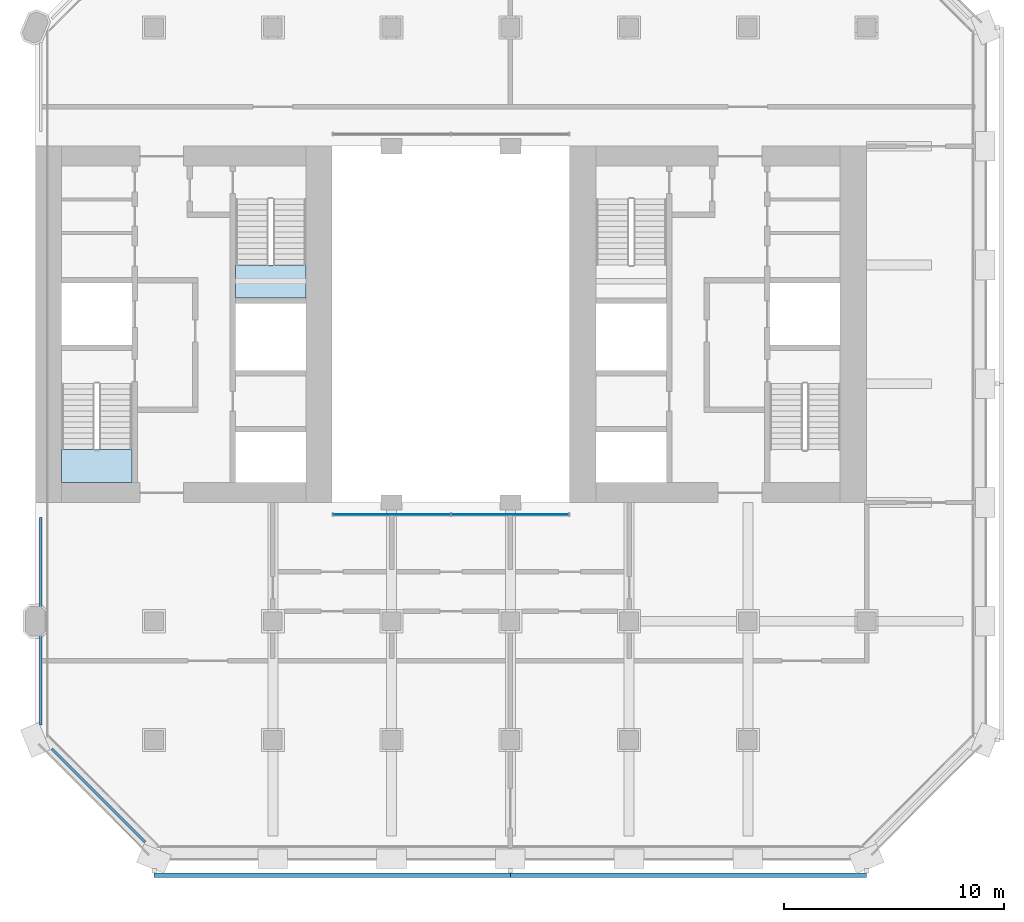
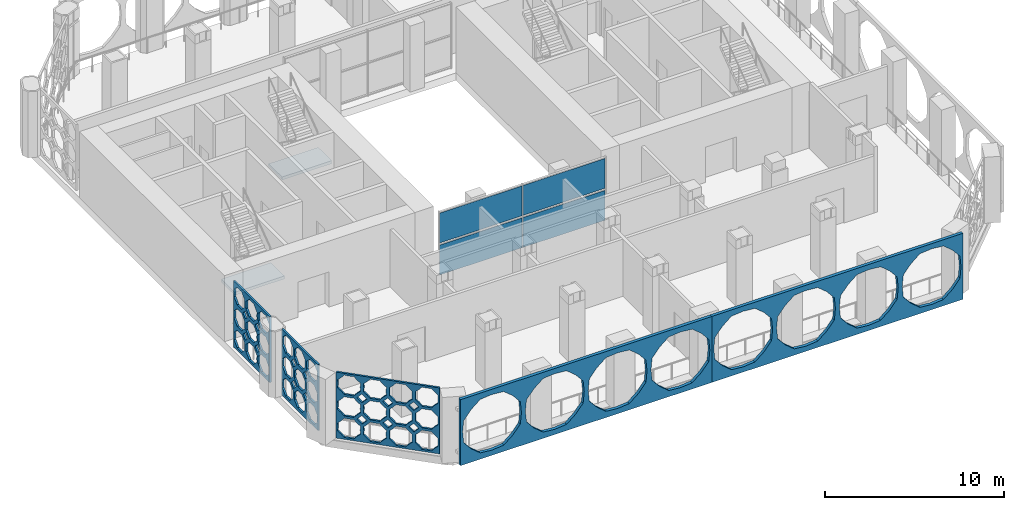
# One storey, part 5 of 14: 9 plates, 2 slabs, 3 elements without a shape of their own.
"""IFC4 building model written with IfcOpenShell, lengths in metres."""

from ifc_helpers import new_model, si_unit, direction, frame, origin, origin_2d, place, context, subcontext, project, spatial, polyline, rectangle, outline, extrude, material, layer, layer_set, type_object, element, aggregate, save


model = new_model("IFC4")

# Units and contexts
model_context = context("Model", 3, precision=1e-05, world=origin(), true_north=direction((0.0, 1.0)))
body_context = subcontext(model_context, "Body", "Model", "MODEL_VIEW")
ifc_project = project(units=[si_unit("LENGTHUNIT", "METRE"), si_unit("AREAUNIT", "SQUARE_METRE"), si_unit("VOLUMEUNIT", "CUBIC_METRE"), si_unit("PLANEANGLEUNIT", "RADIAN"), si_unit("MASSUNIT", "GRAM", prefix="KILO")], contexts=[model_context])

# Site, building, storey
site_placement = place(None, origin())
site = spatial("IfcSite", under=ifc_project, at=site_placement, CompositionType="ELEMENT")
building_placement = place(site_placement, origin())
building = spatial("IfcBuilding", under=site, at=building_placement, Name="Tabaq Tower and Sports Hall", CompositionType="ELEMENT")
storey_placement = place(building_placement, frame((0.0, 0.0, 175.89990234375)))
storey = spatial("IfcBuildingStorey", under=building, at=storey_placement, Name="L42", CompositionType="ELEMENT", Elevation=175.89990234375)

# Curtain wall, plates
ifc_material_1 = material(Name="Aluminium alloy 6063-T6 framed glazing", Category="aluminium")
curtain_wall_type = type_object("IfcCurtainWallType", Name="CW1 curtain wall", PredefinedType="USERDEFINED", material=ifc_material_1)
curtain_wall_placement = place(storey_placement, origin())
curtain_wall = element("IfcCurtainWall", 1, at=curtain_wall_placement, inside=storey, type_object=curtain_wall_type, Name="Atrium glazing L42 S", ObjectType="ATRIUM ENCLOSURE", PredefinedType="USERDEFINED")
ifc_material_2 = material(Name="Clear low-emissivity glass 28 mm", Category="glass")
ifc_layer_1 = layer(ifc_material_2, 0.028076171875)
ifc_layer_set_1 = layer_set([ifc_layer_1], Name="CW1 glass panel 28")
plate_type_1 = type_object("IfcPlateType", Name="CW1 glass panel 28", PredefinedType="CURTAIN_PANEL", material=ifc_layer_set_1)
plate_1_placement = place(storey_placement, frame((21.614990234375, 15.64990234375, 0.14013671875), z_axis=(0.0, 0.0, 1.0), x_axis=(1.0, 0.0, 0.0)))
plate_1 = element("IfcPlate", 2, at=plate_1_placement, type_object=plate_type_1, Name="CW1 panel 1.1", PredefinedType="CURTAIN_PANEL", context=body_context, shape_type="SweptSolid", body=[
    extrude(rectangle(XDim=5.31005859375, YDim=0.028076171875, at=origin_2d()), origin(), (0.0, 0.0, 1.0), 2.0400390625),
])
plate_2_placement = place(storey_placement, frame((21.614990234375, 15.64990234375, 2.320068359375), z_axis=(0.0, 0.0, 1.0), x_axis=(1.0, 0.0, 0.0)))
plate_2 = element("IfcPlate", 3, at=plate_2_placement, type_object=plate_type_1, Name="CW1 panel 1.2", PredefinedType="CURTAIN_PANEL", context=body_context, shape_type="SweptSolid", body=[
    extrude(rectangle(XDim=5.31005859375, YDim=0.028076171875, at=origin_2d()), origin(), (0.0, 0.0, 1.0), 2.0400390625),
])
plate_3_placement = place(storey_placement, frame((26.985107421875, 15.64990234375, 0.14013671875), z_axis=(0.0, 0.0, 1.0), x_axis=(1.0, 0.0, 0.0)))
plate_3 = element("IfcPlate", 4, at=plate_3_placement, type_object=plate_type_1, Name="CW1 panel 2.1", PredefinedType="CURTAIN_PANEL", context=body_context, shape_type="SweptSolid", body=[
    extrude(rectangle(XDim=5.31005859375, YDim=0.028076171875, at=origin_2d()), origin(), (0.0, 0.0, 1.0), 2.0400390625),
])
plate_4_placement = place(storey_placement, frame((26.985107421875, 15.64990234375, 2.320068359375), z_axis=(0.0, 0.0, 1.0), x_axis=(1.0, 0.0, 0.0)))
plate_4 = element("IfcPlate", 5, at=plate_4_placement, type_object=plate_type_1, Name="CW1 panel 2.2", PredefinedType="CURTAIN_PANEL", context=body_context, shape_type="SweptSolid", body=[
    extrude(rectangle(XDim=5.31005859375, YDim=0.028076171875, at=origin_2d()), origin(), (0.0, 0.0, 1.0), 2.0400390625),
])
aggregate(curtain_wall, [plate_1, plate_2, plate_3, plate_4])

# Stair, slab
ifc_material_3 = material(Name="Concrete C40/50", Category="concrete")
stair_type = type_object("IfcStairType", Name="Exit stair", PredefinedType="HALF_TURN_STAIR", material=ifc_material_3)
stair_1_placement = place(storey_placement, origin())
stair_1 = element("IfcStair", 6, at=stair_1_placement, inside=storey, type_object=stair_type, Name="L42 Exit stair ST1", PredefinedType="HALF_TURN_STAIR")
ifc_material_4 = material(Name="Concrete C40/50", Category="concrete")
ifc_layer_2 = layer(ifc_material_4, 0.199951171875)
ifc_layer_set_2 = layer_set([ifc_layer_2], Name="Exit stair landing")
slab_type = type_object("IfcSlabType", Name="Exit stair landing", PredefinedType="LANDING", material=ifc_layer_set_2)
slab_1_placement = place(storey_placement, frame((0.0, 0.0, 2.2001953125)))
slab_1 = element("IfcSlab", 7, at=slab_1_placement, type_object=slab_type, Name="ST1 landing 1", PredefinedType="LANDING", context=body_context, shape_type="SweptSolid", body=[
    extrude(outline(polyline([(6.60009765625, 18.60009765625), (6.60009765625, 17.10009765625), (9.800048828125, 17.10009765625), (9.800048828125, 18.60009765625), (6.60009765625, 18.60009765625)])), origin(), (0.0, 0.0, 1.0), 0.199951171875),
])
aggregate(stair_1, [slab_1])

stair_2_placement = place(storey_placement, origin())
stair_2 = element("IfcStair", 8, at=stair_2_placement, inside=storey, type_object=stair_type, Name="L42 Exit stair ST2", PredefinedType="HALF_TURN_STAIR")
slab_2_placement = place(storey_placement, frame((0.0, 0.0, 2.2001953125)))
slab_2 = element("IfcSlab", 9, at=slab_2_placement, type_object=slab_type, Name="ST2 landing 1", PredefinedType="LANDING", context=body_context, shape_type="SweptSolid", body=[
    extrude(outline(polyline([(14.5, 27.0), (14.5, 25.5), (17.699951171875, 25.5), (17.699951171875, 27.0), (14.5, 27.0)])), origin(), (0.0, 0.0, 1.0), 0.199951171875),
])
aggregate(stair_2, [slab_2])

# Plates
ifc_material_5 = material(Name="White precast concrete C60/75 pierced screen", Category="concrete")
ifc_layer_3 = layer(ifc_material_5, 0.199951171875)
ifc_layer_set_3 = layer_set([ifc_layer_3], Name="White precast concrete C60/75 girih screen 200")
plate_type_2 = type_object("IfcPlateType", Name="White precast concrete C60/75 girih screen 200", PredefinedType="USERDEFINED", material=ifc_layer_set_3)
plate_5_placement = place(storey_placement, frame((10.800048828125, -0.75, 0.0), z_axis=(0.0, 0.0, 1.0), x_axis=(1.0, 0.0, 0.0)))
element("IfcPlate", 10, at=plate_5_placement, inside=storey, type_object=plate_type_2, Name="Girih screen L42 S", ObjectType="SCREEN", PredefinedType="USERDEFINED", context=body_context, shape_type="SweptSolid", body=[
    extrude(outline(polyline([(0.0, 0.0), (16.199951171875, 0.0), (16.199951171875, 4.5), (0.0, 4.5), (0.0, 0.0)]), holes=[polyline([(3.85107421875, 3.00634765625), (3.36669921875, 3.591796875), (2.78125, 4.076171875), (2.02490234375, 4.1474609375), (1.2685546875, 4.076171875), (0.683349609375, 3.591796875), (0.198974609375, 3.00634765625), (0.127685546875, 2.25), (0.198974609375, 1.49365234375), (0.683349609375, 0.908447265625), (1.2685546875, 0.424072265625), (2.02490234375, 0.352783203125), (2.78125, 0.424072265625), (3.36669921875, 0.908447265625), (3.85107421875, 1.49365234375), (3.92236328125, 2.25), (3.85107421875, 3.00634765625)]), polyline([(7.90087890625, 3.00634765625), (7.41650390625, 3.591796875), (6.831298828125, 4.076171875), (6.074951171875, 4.1474609375), (5.318603515625, 4.076171875), (4.7333984375, 3.591796875), (4.2490234375, 3.00634765625), (4.177734375, 2.25), (4.2490234375, 1.49365234375), (4.7333984375, 0.908447265625), (5.318603515625, 0.424072265625), (6.074951171875, 0.352783203125), (6.831298828125, 0.424072265625), (7.41650390625, 0.908447265625), (7.90087890625, 1.49365234375), (7.972412109375, 2.25), (7.90087890625, 3.00634765625)]), polyline([(11.950927734375, 3.00634765625), (11.466552734375, 3.591796875), (10.88134765625, 4.076171875), (10.125, 4.1474609375), (9.36865234375, 4.076171875), (8.783447265625, 3.591796875), (8.299072265625, 3.00634765625), (8.2275390625, 2.25), (8.299072265625, 1.49365234375), (8.783447265625, 0.908447265625), (9.36865234375, 0.424072265625), (10.125, 0.352783203125), (10.88134765625, 0.424072265625), (11.466552734375, 0.908447265625), (11.950927734375, 1.49365234375), (12.0224609375, 2.25), (11.950927734375, 3.00634765625)]), polyline([(16.0009765625, 3.00634765625), (15.5166015625, 3.591796875), (14.931396484375, 4.076171875), (14.175048828125, 4.1474609375), (13.418701171875, 4.076171875), (12.83349609375, 3.591796875), (12.34912109375, 3.00634765625), (12.277587890625, 2.25), (12.34912109375, 1.49365234375), (12.83349609375, 0.908447265625), (13.418701171875, 0.424072265625), (14.175048828125, 0.352783203125), (14.931396484375, 0.424072265625), (15.5166015625, 0.908447265625), (16.0009765625, 1.49365234375), (16.072265625, 2.25), (16.0009765625, 3.00634765625)])]), frame((0.0, 0.10009765625, 0.0), z_axis=(0.0, -1.0, 0.0), x_axis=(1.0, 0.0, 0.0)), (0.0, 0.0, 1.0), 0.199951171875),
])
plate_6_placement = place(storey_placement, frame((27.0, -0.75, 0.0), z_axis=(0.0, 0.0, 1.0), x_axis=(1.0, 0.0, 0.0)))
element("IfcPlate", 11, at=plate_6_placement, inside=storey, type_object=plate_type_2, Name="Girih screen L42 S", ObjectType="SCREEN", PredefinedType="USERDEFINED", context=body_context, shape_type="SweptSolid", body=[
    extrude(outline(polyline([(0.0, 0.0), (16.199951171875, 0.0), (16.199951171875, 4.5), (0.0, 4.5), (0.0, 0.0)]), holes=[polyline([(3.85107421875, 3.00634765625), (3.36669921875, 3.591796875), (2.78125, 4.076171875), (2.02490234375, 4.1474609375), (1.2685546875, 4.076171875), (0.683349609375, 3.591796875), (0.198974609375, 3.00634765625), (0.127685546875, 2.25), (0.198974609375, 1.49365234375), (0.683349609375, 0.908447265625), (1.2685546875, 0.424072265625), (2.02490234375, 0.352783203125), (2.78125, 0.424072265625), (3.36669921875, 0.908447265625), (3.85107421875, 1.49365234375), (3.92236328125, 2.25), (3.85107421875, 3.00634765625)]), polyline([(7.90087890625, 3.00634765625), (7.41650390625, 3.591796875), (6.831298828125, 4.076171875), (6.074951171875, 4.1474609375), (5.318603515625, 4.076171875), (4.7333984375, 3.591796875), (4.2490234375, 3.00634765625), (4.177734375, 2.25), (4.2490234375, 1.49365234375), (4.7333984375, 0.908447265625), (5.318603515625, 0.424072265625), (6.074951171875, 0.352783203125), (6.831298828125, 0.424072265625), (7.41650390625, 0.908447265625), (7.90087890625, 1.49365234375), (7.972412109375, 2.25), (7.90087890625, 3.00634765625)]), polyline([(11.950927734375, 3.00634765625), (11.466552734375, 3.591796875), (10.88134765625, 4.076171875), (10.125, 4.1474609375), (9.36865234375, 4.076171875), (8.783447265625, 3.591796875), (8.299072265625, 3.00634765625), (8.2275390625, 2.25), (8.299072265625, 1.49365234375), (8.783447265625, 0.908447265625), (9.36865234375, 0.424072265625), (10.125, 0.352783203125), (10.88134765625, 0.424072265625), (11.466552734375, 0.908447265625), (11.950927734375, 1.49365234375), (12.0224609375, 2.25), (11.950927734375, 3.00634765625)]), polyline([(16.0009765625, 3.00634765625), (15.5166015625, 3.591796875), (14.931396484375, 4.076171875), (14.175048828125, 4.1474609375), (13.418701171875, 4.076171875), (12.83349609375, 3.591796875), (12.34912109375, 3.00634765625), (12.277587890625, 2.25), (12.34912109375, 1.49365234375), (12.83349609375, 0.908447265625), (13.418701171875, 0.424072265625), (14.175048828125, 0.352783203125), (14.931396484375, 0.424072265625), (15.5166015625, 0.908447265625), (16.0009765625, 1.49365234375), (16.072265625, 2.25), (16.0009765625, 3.00634765625)])]), frame((0.0, 0.10009765625, 0.0), z_axis=(0.0, -1.0, 0.0), x_axis=(1.0, 0.0, 0.0)), (0.0, 0.0, 1.0), 0.199951171875),
])
ifc_material_6 = material(Name="White precast concrete C60/75 pierced screen", Category="concrete")
ifc_layer_4 = layer(ifc_material_6, 0.1201171875)
ifc_layer_set_4 = layer_set([ifc_layer_4], Name="White precast concrete C60/75 screen 120")
plate_type_3 = type_object("IfcPlateType", Name="White precast concrete C60/75 screen 120", PredefinedType="USERDEFINED", material=ifc_layer_set_4)
plate_7_placement = place(storey_placement, frame((5.64990234375, 15.52490234375, 0.0), z_axis=(0.0, 0.0, 1.0), x_axis=(0.0, -1.0, 0.0)))
element("IfcPlate", 12, at=plate_7_placement, inside=storey, type_object=plate_type_3, Name="Pierced screen L42 W", ObjectType="SCREEN", PredefinedType="USERDEFINED", context=body_context, shape_type="SweptSolid", body=[
    extrude(outline(polyline([(0.0, 0.0), (4.0498046875, 0.0), (4.0498046875, 4.5), (0.0, 4.5), (0.0, 0.0)]), holes=[polyline([(1.28369140625, 1.03564453125), (1.09423828125, 1.20263671875), (0.927001953125, 1.39208984375), (0.675048828125, 1.37646484375), (0.4228515625, 1.39208984375), (0.255859375, 1.20263671875), (0.06640625, 1.03564453125), (0.08203125, 0.783447265625), (0.06640625, 0.53125), (0.255859375, 0.3642578125), (0.4228515625, 0.1748046875), (0.675048828125, 0.1904296875), (0.927001953125, 0.1748046875), (1.09423828125, 0.3642578125), (1.28369140625, 0.53125), (1.267822265625, 0.783447265625), (1.28369140625, 1.03564453125)]), polyline([(1.28369140625, 2.502197265625), (1.09423828125, 2.66943359375), (0.927001953125, 2.858642578125), (0.675048828125, 2.843017578125), (0.4228515625, 2.858642578125), (0.255859375, 2.66943359375), (0.06640625, 2.502197265625), (0.08203125, 2.25), (0.06640625, 1.998046875), (0.255859375, 1.830810546875), (0.4228515625, 1.641357421875), (0.675048828125, 1.6572265625), (0.927001953125, 1.641357421875), (1.09423828125, 1.830810546875), (1.28369140625, 1.998046875), (1.267822265625, 2.25), (1.28369140625, 2.502197265625)]), polyline([(1.28369140625, 3.968994140625), (1.09423828125, 4.135986328125), (0.927001953125, 4.325439453125), (0.675048828125, 4.3095703125), (0.4228515625, 4.325439453125), (0.255859375, 4.135986328125), (0.06640625, 3.968994140625), (0.08203125, 3.716796875), (0.06640625, 3.464599609375), (0.255859375, 3.297607421875), (0.4228515625, 3.108154296875), (0.675048828125, 3.123779296875), (0.927001953125, 3.108154296875), (1.09423828125, 3.297607421875), (1.28369140625, 3.464599609375), (1.267822265625, 3.716796875), (1.28369140625, 3.968994140625)]), polyline([(2.633544921875, 1.03564453125), (2.4443359375, 1.20263671875), (2.277099609375, 1.39208984375), (2.02490234375, 1.37646484375), (1.77294921875, 1.39208984375), (1.605712890625, 1.20263671875), (1.416259765625, 1.03564453125), (1.43212890625, 0.783447265625), (1.416259765625, 0.53125), (1.605712890625, 0.3642578125), (1.77294921875, 0.1748046875), (2.02490234375, 0.1904296875), (2.277099609375, 0.1748046875), (2.4443359375, 0.3642578125), (2.633544921875, 0.53125), (2.617919921875, 0.783447265625), (2.633544921875, 1.03564453125)]), polyline([(2.633544921875, 2.502197265625), (2.4443359375, 2.66943359375), (2.277099609375, 2.858642578125), (2.02490234375, 2.843017578125), (1.77294921875, 2.858642578125), (1.605712890625, 2.66943359375), (1.416259765625, 2.502197265625), (1.43212890625, 2.25), (1.416259765625, 1.998046875), (1.605712890625, 1.830810546875), (1.77294921875, 1.641357421875), (2.02490234375, 1.6572265625), (2.277099609375, 1.641357421875), (2.4443359375, 1.830810546875), (2.633544921875, 1.998046875), (2.617919921875, 2.25), (2.633544921875, 2.502197265625)]), polyline([(2.633544921875, 3.968994140625), (2.4443359375, 4.135986328125), (2.277099609375, 4.325439453125), (2.02490234375, 4.3095703125), (1.77294921875, 4.325439453125), (1.605712890625, 4.135986328125), (1.416259765625, 3.968994140625), (1.43212890625, 3.716796875), (1.416259765625, 3.464599609375), (1.605712890625, 3.297607421875), (1.77294921875, 3.108154296875), (2.02490234375, 3.123779296875), (2.277099609375, 3.108154296875), (2.4443359375, 3.297607421875), (2.633544921875, 3.464599609375), (2.617919921875, 3.716796875), (2.633544921875, 3.968994140625)]), polyline([(3.983642578125, 1.03564453125), (3.794189453125, 1.20263671875), (3.627197265625, 1.39208984375), (3.375, 1.37646484375), (3.122802734375, 1.39208984375), (2.955810546875, 1.20263671875), (2.766357421875, 1.03564453125), (2.781982421875, 0.783447265625), (2.766357421875, 0.53125), (2.955810546875, 0.3642578125), (3.122802734375, 0.1748046875), (3.375, 0.1904296875), (3.627197265625, 0.1748046875), (3.794189453125, 0.3642578125), (3.983642578125, 0.53125), (3.968017578125, 0.783447265625), (3.983642578125, 1.03564453125)]), polyline([(3.983642578125, 2.502197265625), (3.794189453125, 2.66943359375), (3.627197265625, 2.858642578125), (3.375, 2.843017578125), (3.122802734375, 2.858642578125), (2.955810546875, 2.66943359375), (2.766357421875, 2.502197265625), (2.781982421875, 2.25), (2.766357421875, 1.998046875), (2.955810546875, 1.830810546875), (3.122802734375, 1.641357421875), (3.375, 1.6572265625), (3.627197265625, 1.641357421875), (3.794189453125, 1.830810546875), (3.983642578125, 1.998046875), (3.968017578125, 2.25), (3.983642578125, 2.502197265625)]), polyline([(3.983642578125, 3.968994140625), (3.794189453125, 4.135986328125), (3.627197265625, 4.325439453125), (3.375, 4.3095703125), (3.122802734375, 4.325439453125), (2.955810546875, 4.135986328125), (2.766357421875, 3.968994140625), (2.781982421875, 3.716796875), (2.766357421875, 3.464599609375), (2.955810546875, 3.297607421875), (3.122802734375, 3.108154296875), (3.375, 3.123779296875), (3.627197265625, 3.108154296875), (3.794189453125, 3.297607421875), (3.983642578125, 3.464599609375), (3.968017578125, 3.716796875), (3.983642578125, 3.968994140625)]), polyline([(1.6201171875, 1.516845703125), (1.35009765625, 1.786865234375), (1.080078125, 1.516845703125), (1.35009765625, 1.246826171875), (1.6201171875, 1.516845703125)]), polyline([(1.6201171875, 2.9833984375), (1.35009765625, 3.25341796875), (1.080078125, 2.9833984375), (1.35009765625, 2.71337890625), (1.6201171875, 2.9833984375)]), polyline([(2.969970703125, 1.516845703125), (2.699951171875, 1.786865234375), (2.429931640625, 1.516845703125), (2.699951171875, 1.246826171875), (2.969970703125, 1.516845703125)]), polyline([(2.969970703125, 2.9833984375), (2.699951171875, 3.25341796875), (2.429931640625, 2.9833984375), (2.699951171875, 2.71337890625), (2.969970703125, 2.9833984375)])]), frame((0.0, 0.06005859375, 0.0), z_axis=(0.0, -1.0, 0.0), x_axis=(1.0, 0.0, 0.0)), (0.0, 0.0, 1.0), 0.1201171875),
])
plate_8_placement = place(storey_placement, frame((5.64990234375, 10.125, 0.0), z_axis=(0.0, 0.0, 1.0), x_axis=(0.0, -1.0, 0.0)))
element("IfcPlate", 13, at=plate_8_placement, inside=storey, type_object=plate_type_3, Name="Pierced screen L42 W", ObjectType="SCREEN", PredefinedType="USERDEFINED", context=body_context, shape_type="SweptSolid", body=[
    extrude(outline(polyline([(0.0, 0.0), (4.050048828125, 0.0), (4.050048828125, 4.5), (0.0, 4.5), (0.0, 0.0)]), holes=[polyline([(1.28369140625, 1.03564453125), (1.09423828125, 1.20263671875), (0.927001953125, 1.39208984375), (0.675048828125, 1.37646484375), (0.4228515625, 1.39208984375), (0.255859375, 1.20263671875), (0.06640625, 1.03564453125), (0.08203125, 0.783447265625), (0.06640625, 0.53125), (0.255859375, 0.3642578125), (0.4228515625, 0.1748046875), (0.675048828125, 0.1904296875), (0.927001953125, 0.1748046875), (1.09423828125, 0.3642578125), (1.28369140625, 0.53125), (1.267822265625, 0.783447265625), (1.28369140625, 1.03564453125)]), polyline([(1.28369140625, 2.502197265625), (1.09423828125, 2.66943359375), (0.927001953125, 2.858642578125), (0.675048828125, 2.843017578125), (0.4228515625, 2.858642578125), (0.255859375, 2.66943359375), (0.06640625, 2.502197265625), (0.08203125, 2.25), (0.06640625, 1.998046875), (0.255859375, 1.830810546875), (0.4228515625, 1.641357421875), (0.675048828125, 1.6572265625), (0.927001953125, 1.641357421875), (1.09423828125, 1.830810546875), (1.28369140625, 1.998046875), (1.267822265625, 2.25), (1.28369140625, 2.502197265625)]), polyline([(1.28369140625, 3.968994140625), (1.09423828125, 4.135986328125), (0.927001953125, 4.325439453125), (0.675048828125, 4.3095703125), (0.4228515625, 4.325439453125), (0.255859375, 4.135986328125), (0.06640625, 3.968994140625), (0.08203125, 3.716796875), (0.06640625, 3.464599609375), (0.255859375, 3.297607421875), (0.4228515625, 3.108154296875), (0.675048828125, 3.123779296875), (0.927001953125, 3.108154296875), (1.09423828125, 3.297607421875), (1.28369140625, 3.464599609375), (1.267822265625, 3.716796875), (1.28369140625, 3.968994140625)]), polyline([(2.633544921875, 1.03564453125), (2.4443359375, 1.20263671875), (2.277099609375, 1.39208984375), (2.02490234375, 1.37646484375), (1.77294921875, 1.39208984375), (1.605712890625, 1.20263671875), (1.416259765625, 1.03564453125), (1.43212890625, 0.783447265625), (1.416259765625, 0.53125), (1.605712890625, 0.3642578125), (1.77294921875, 0.1748046875), (2.02490234375, 0.1904296875), (2.277099609375, 0.1748046875), (2.4443359375, 0.3642578125), (2.633544921875, 0.53125), (2.617919921875, 0.783447265625), (2.633544921875, 1.03564453125)]), polyline([(2.633544921875, 2.502197265625), (2.4443359375, 2.66943359375), (2.277099609375, 2.858642578125), (2.02490234375, 2.843017578125), (1.77294921875, 2.858642578125), (1.605712890625, 2.66943359375), (1.416259765625, 2.502197265625), (1.43212890625, 2.25), (1.416259765625, 1.998046875), (1.605712890625, 1.830810546875), (1.77294921875, 1.641357421875), (2.02490234375, 1.6572265625), (2.277099609375, 1.641357421875), (2.4443359375, 1.830810546875), (2.633544921875, 1.998046875), (2.617919921875, 2.25), (2.633544921875, 2.502197265625)]), polyline([(2.633544921875, 3.968994140625), (2.4443359375, 4.135986328125), (2.277099609375, 4.325439453125), (2.02490234375, 4.3095703125), (1.77294921875, 4.325439453125), (1.605712890625, 4.135986328125), (1.416259765625, 3.968994140625), (1.43212890625, 3.716796875), (1.416259765625, 3.464599609375), (1.605712890625, 3.297607421875), (1.77294921875, 3.108154296875), (2.02490234375, 3.123779296875), (2.277099609375, 3.108154296875), (2.4443359375, 3.297607421875), (2.633544921875, 3.464599609375), (2.617919921875, 3.716796875), (2.633544921875, 3.968994140625)]), polyline([(3.983642578125, 1.03564453125), (3.794189453125, 1.20263671875), (3.627197265625, 1.39208984375), (3.375, 1.37646484375), (3.122802734375, 1.39208984375), (2.955810546875, 1.20263671875), (2.766357421875, 1.03564453125), (2.781982421875, 0.783447265625), (2.766357421875, 0.53125), (2.955810546875, 0.3642578125), (3.122802734375, 0.1748046875), (3.375, 0.1904296875), (3.627197265625, 0.1748046875), (3.794189453125, 0.3642578125), (3.983642578125, 0.53125), (3.968017578125, 0.783447265625), (3.983642578125, 1.03564453125)]), polyline([(3.983642578125, 2.502197265625), (3.794189453125, 2.66943359375), (3.627197265625, 2.858642578125), (3.375, 2.843017578125), (3.122802734375, 2.858642578125), (2.955810546875, 2.66943359375), (2.766357421875, 2.502197265625), (2.781982421875, 2.25), (2.766357421875, 1.998046875), (2.955810546875, 1.830810546875), (3.122802734375, 1.641357421875), (3.375, 1.6572265625), (3.627197265625, 1.641357421875), (3.794189453125, 1.830810546875), (3.983642578125, 1.998046875), (3.968017578125, 2.25), (3.983642578125, 2.502197265625)]), polyline([(3.983642578125, 3.968994140625), (3.794189453125, 4.135986328125), (3.627197265625, 4.325439453125), (3.375, 4.3095703125), (3.122802734375, 4.325439453125), (2.955810546875, 4.135986328125), (2.766357421875, 3.968994140625), (2.781982421875, 3.716796875), (2.766357421875, 3.464599609375), (2.955810546875, 3.297607421875), (3.122802734375, 3.108154296875), (3.375, 3.123779296875), (3.627197265625, 3.108154296875), (3.794189453125, 3.297607421875), (3.983642578125, 3.464599609375), (3.968017578125, 3.716796875), (3.983642578125, 3.968994140625)]), polyline([(1.6201171875, 1.516845703125), (1.35009765625, 1.786865234375), (1.080078125, 1.516845703125), (1.35009765625, 1.246826171875), (1.6201171875, 1.516845703125)]), polyline([(1.6201171875, 2.9833984375), (1.35009765625, 3.25341796875), (1.080078125, 2.9833984375), (1.35009765625, 2.71337890625), (1.6201171875, 2.9833984375)]), polyline([(2.969970703125, 1.516845703125), (2.699951171875, 1.786865234375), (2.429931640625, 1.516845703125), (2.699951171875, 1.246826171875), (2.969970703125, 1.516845703125)]), polyline([(2.969970703125, 2.9833984375), (2.699951171875, 3.25341796875), (2.429931640625, 2.9833984375), (2.699951171875, 2.71337890625), (2.969970703125, 2.9833984375)])]), frame((0.0, 0.06005859375, 0.0), z_axis=(0.0, -1.0, 0.0), x_axis=(1.0, 0.0, 0.0)), (0.0, 0.0, 1.0), 0.1201171875),
])
plate_9_placement = place(storey_placement, frame((6.16015625, 4.993408203125, 0.0), z_axis=(0.0, 0.0, 1.0), x_axis=(0.707106781187, -0.707106781187, 0.0)))
element("IfcPlate", 14, at=plate_9_placement, inside=storey, type_object=plate_type_3, Name="Pierced screen L42 SW", ObjectType="SCREEN", PredefinedType="USERDEFINED", context=body_context, shape_type="SweptSolid", body=[
    extrude(outline(polyline([(0.0, 0.0), (5.986572265625, 0.0), (5.986572265625, 4.5), (0.0, 4.5), (0.0, 0.0)]), holes=[polyline([(1.40966796875, 1.057373046875), (1.203857421875, 1.239013671875), (1.022216796875, 1.444580078125), (0.748291015625, 1.427490234375), (0.474365234375, 1.444580078125), (0.29296875, 1.239013671875), (0.087158203125, 1.057373046875), (0.104248046875, 0.783447265625), (0.087158203125, 0.509521484375), (0.29296875, 0.327880859375), (0.474365234375, 0.1220703125), (0.748291015625, 0.13916015625), (1.022216796875, 0.1220703125), (1.203857421875, 0.327880859375), (1.40966796875, 0.509521484375), (1.392578125, 0.783447265625), (1.40966796875, 1.057373046875)]), polyline([(1.40966796875, 2.52392578125), (1.203857421875, 2.70556640625), (1.022216796875, 2.911376953125), (0.748291015625, 2.894287109375), (0.474365234375, 2.911376953125), (0.29296875, 2.70556640625), (0.087158203125, 2.52392578125), (0.104248046875, 2.25), (0.087158203125, 1.976318359375), (0.29296875, 1.794677734375), (0.474365234375, 1.5888671875), (0.748291015625, 1.60595703125), (1.022216796875, 1.5888671875), (1.203857421875, 1.794677734375), (1.40966796875, 1.976318359375), (1.392578125, 2.25), (1.40966796875, 2.52392578125)]), polyline([(1.40966796875, 3.99072265625), (1.203857421875, 4.17236328125), (1.022216796875, 4.3779296875), (0.748291015625, 4.36083984375), (0.474365234375, 4.3779296875), (0.29296875, 4.17236328125), (0.087158203125, 3.99072265625), (0.104248046875, 3.716796875), (0.087158203125, 3.44287109375), (0.29296875, 3.26123046875), (0.474365234375, 3.055419921875), (0.748291015625, 3.072509765625), (1.022216796875, 3.055419921875), (1.203857421875, 3.26123046875), (1.40966796875, 3.44287109375), (1.392578125, 3.716796875), (1.40966796875, 3.99072265625)]), polyline([(2.90625, 1.057373046875), (2.700439453125, 1.239013671875), (2.51904296875, 1.444580078125), (2.2451171875, 1.427490234375), (1.97119140625, 1.444580078125), (1.78955078125, 1.239013671875), (1.583740234375, 1.057373046875), (1.600830078125, 0.783447265625), (1.583740234375, 0.509521484375), (1.78955078125, 0.327880859375), (1.97119140625, 0.1220703125), (2.2451171875, 0.13916015625), (2.51904296875, 0.1220703125), (2.700439453125, 0.327880859375), (2.90625, 0.509521484375), (2.88916015625, 0.783447265625), (2.90625, 1.057373046875)]), polyline([(2.90625, 2.52392578125), (2.700439453125, 2.70556640625), (2.51904296875, 2.911376953125), (2.2451171875, 2.894287109375), (1.97119140625, 2.911376953125), (1.78955078125, 2.70556640625), (1.583740234375, 2.52392578125), (1.600830078125, 2.25), (1.583740234375, 1.976318359375), (1.78955078125, 1.794677734375), (1.97119140625, 1.5888671875), (2.2451171875, 1.60595703125), (2.51904296875, 1.5888671875), (2.700439453125, 1.794677734375), (2.90625, 1.976318359375), (2.88916015625, 2.25), (2.90625, 2.52392578125)]), polyline([(2.90625, 3.99072265625), (2.700439453125, 4.17236328125), (2.51904296875, 4.3779296875), (2.2451171875, 4.36083984375), (1.97119140625, 4.3779296875), (1.78955078125, 4.17236328125), (1.583740234375, 3.99072265625), (1.600830078125, 3.716796875), (1.583740234375, 3.44287109375), (1.78955078125, 3.26123046875), (1.97119140625, 3.055419921875), (2.2451171875, 3.072509765625), (2.51904296875, 3.055419921875), (2.700439453125, 3.26123046875), (2.90625, 3.44287109375), (2.88916015625, 3.716796875), (2.90625, 3.99072265625)]), polyline([(4.403076171875, 1.057373046875), (4.197265625, 1.239013671875), (4.015625, 1.444580078125), (3.74169921875, 1.427490234375), (3.4677734375, 1.444580078125), (3.2861328125, 1.239013671875), (3.08056640625, 1.057373046875), (3.09765625, 0.783447265625), (3.08056640625, 0.509521484375), (3.2861328125, 0.327880859375), (3.4677734375, 0.1220703125), (3.74169921875, 0.13916015625), (4.015625, 0.1220703125), (4.197265625, 0.327880859375), (4.403076171875, 0.509521484375), (4.385986328125, 0.783447265625), (4.403076171875, 1.057373046875)]), polyline([(4.403076171875, 2.52392578125), (4.197265625, 2.70556640625), (4.015625, 2.911376953125), (3.74169921875, 2.894287109375), (3.4677734375, 2.911376953125), (3.2861328125, 2.70556640625), (3.08056640625, 2.52392578125), (3.09765625, 2.25), (3.08056640625, 1.976318359375), (3.2861328125, 1.794677734375), (3.4677734375, 1.5888671875), (3.74169921875, 1.60595703125), (4.015625, 1.5888671875), (4.197265625, 1.794677734375), (4.403076171875, 1.976318359375), (4.385986328125, 2.25), (4.403076171875, 2.52392578125)]), polyline([(4.403076171875, 3.99072265625), (4.197265625, 4.17236328125), (4.015625, 4.3779296875), (3.74169921875, 4.36083984375), (3.4677734375, 4.3779296875), (3.2861328125, 4.17236328125), (3.08056640625, 3.99072265625), (3.09765625, 3.716796875), (3.08056640625, 3.44287109375), (3.2861328125, 3.26123046875), (3.4677734375, 3.055419921875), (3.74169921875, 3.072509765625), (4.015625, 3.055419921875), (4.197265625, 3.26123046875), (4.403076171875, 3.44287109375), (4.385986328125, 3.716796875), (4.403076171875, 3.99072265625)]), polyline([(5.899658203125, 1.057373046875), (5.69384765625, 1.239013671875), (5.51220703125, 1.444580078125), (5.238525390625, 1.427490234375), (4.964599609375, 1.444580078125), (4.782958984375, 1.239013671875), (4.5771484375, 1.057373046875), (4.59423828125, 0.783447265625), (4.5771484375, 0.509521484375), (4.782958984375, 0.327880859375), (4.964599609375, 0.1220703125), (5.238525390625, 0.13916015625), (5.51220703125, 0.1220703125), (5.69384765625, 0.327880859375), (5.899658203125, 0.509521484375), (5.882568359375, 0.783447265625), (5.899658203125, 1.057373046875)]), polyline([(5.899658203125, 2.52392578125), (5.69384765625, 2.70556640625), (5.51220703125, 2.911376953125), (5.238525390625, 2.894287109375), (4.964599609375, 2.911376953125), (4.782958984375, 2.70556640625), (4.5771484375, 2.52392578125), (4.59423828125, 2.25), (4.5771484375, 1.976318359375), (4.782958984375, 1.794677734375), (4.964599609375, 1.5888671875), (5.238525390625, 1.60595703125), (5.51220703125, 1.5888671875), (5.69384765625, 1.794677734375), (5.899658203125, 1.976318359375), (5.882568359375, 2.25), (5.899658203125, 2.52392578125)]), polyline([(5.899658203125, 3.99072265625), (5.69384765625, 4.17236328125), (5.51220703125, 4.3779296875), (5.238525390625, 4.36083984375), (4.964599609375, 4.3779296875), (4.782958984375, 4.17236328125), (4.5771484375, 3.99072265625), (4.59423828125, 3.716796875), (4.5771484375, 3.44287109375), (4.782958984375, 3.26123046875), (4.964599609375, 3.055419921875), (5.238525390625, 3.072509765625), (5.51220703125, 3.055419921875), (5.69384765625, 3.26123046875), (5.899658203125, 3.44287109375), (5.882568359375, 3.716796875), (5.899658203125, 3.99072265625)]), polyline([(1.7900390625, 1.516845703125), (1.49658203125, 1.81005859375), (1.203369140625, 1.516845703125), (1.49658203125, 1.223388671875), (1.7900390625, 1.516845703125)]), polyline([(1.7900390625, 2.9833984375), (1.49658203125, 3.27685546875), (1.203369140625, 2.9833984375), (1.49658203125, 2.690185546875), (1.7900390625, 2.9833984375)]), polyline([(3.28662109375, 1.516845703125), (2.993408203125, 1.81005859375), (2.699951171875, 1.516845703125), (2.993408203125, 1.223388671875), (3.28662109375, 1.516845703125)]), polyline([(3.28662109375, 2.9833984375), (2.993408203125, 3.27685546875), (2.699951171875, 2.9833984375), (2.993408203125, 2.690185546875), (3.28662109375, 2.9833984375)]), polyline([(4.783447265625, 1.516845703125), (4.489990234375, 1.81005859375), (4.19677734375, 1.516845703125), (4.489990234375, 1.223388671875), (4.783447265625, 1.516845703125)]), polyline([(4.783447265625, 2.9833984375), (4.489990234375, 3.27685546875), (4.19677734375, 2.9833984375), (4.489990234375, 2.690185546875), (4.783447265625, 2.9833984375)])]), frame((0.0, 0.06005859375, 0.0), z_axis=(0.0, -1.0, 0.0), x_axis=(1.0, 0.0, 0.0)), (0.0, 0.0, 1.0), 0.1201171875),
])

save(model, "model.ifc")
